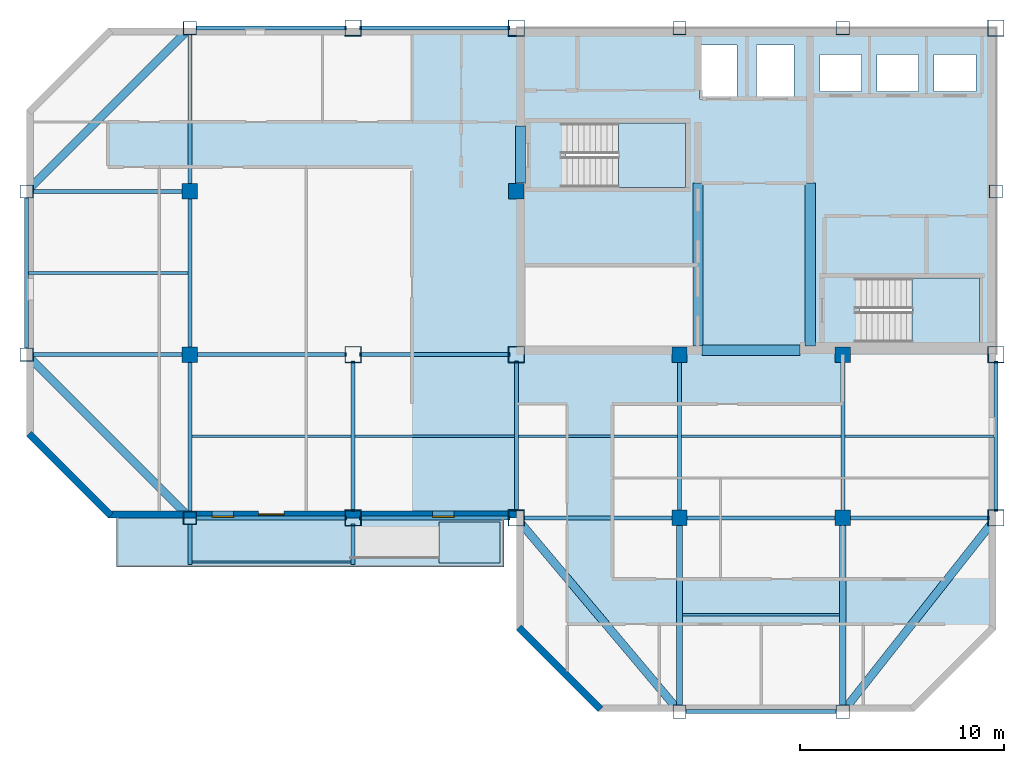
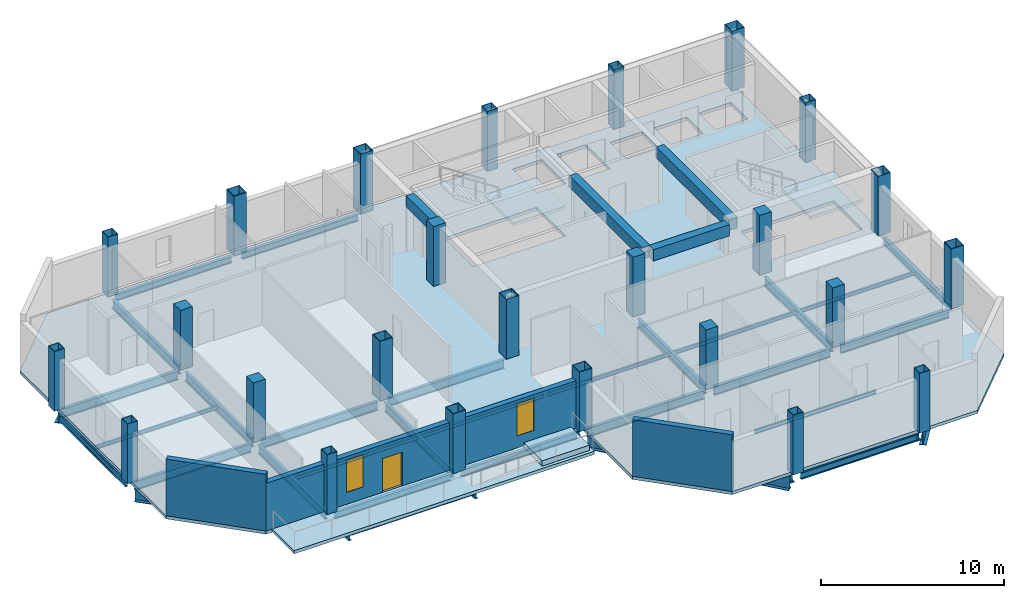
# One storey, part 1 of 7: 41 beams, 25 columns, 5 slabs, 3 walls, 2 windows, 1 door, 3 openings, 3 elements without a shape of their own.
"""IFC4 building model written with IfcOpenShell, lengths in metres."""

from ifc_helpers import new_model, si_unit, direction, frame, frame_2d, origin, origin_2d, place, context, subcontext, project, spatial, polyline, rectangle, hollow_rectangle, i_section, outline, extrude, material, layer, layer_set, material_profile, profile_set, type_object, element, fill, aggregate, save


model = new_model("IFC4")

# Units and contexts
model_context = context("Model", 3, precision=1e-05, world=origin(), true_north=direction((0.0, 1.0)))
body_context = subcontext(model_context, "Body", "Model", "MODEL_VIEW")
ifc_project = project(units=[si_unit("LENGTHUNIT", "METRE"), si_unit("AREAUNIT", "SQUARE_METRE"), si_unit("VOLUMEUNIT", "CUBIC_METRE"), si_unit("PLANEANGLEUNIT", "RADIAN"), si_unit("MASSUNIT", "GRAM", prefix="KILO")], contexts=[model_context])

# Site, building, storey
site_placement = place(None, origin())
site = spatial("IfcSite", under=ifc_project, at=site_placement, CompositionType="ELEMENT")
building_placement = place(site_placement, origin())
building = spatial("IfcBuilding", under=site, at=building_placement, Name="Qianrong Seaharbour Tower", CompositionType="ELEMENT")
storey_placement = place(building_placement, frame((0.0, 0.0, 359.199951171875)))
storey = spatial("IfcBuildingStorey", under=building, at=storey_placement, Name="L87", CompositionType="ELEMENT", Elevation=359.199951171875)

# Columns
ifc_material_1 = material(Name="Structural steel SN490B", Category="steel")
ifc_material_profile_1 = material_profile(ifc_material_1, hollow_rectangle(XDim=0.800048828125, YDim=0.800048828125, WallThickness=0.031982421875, at=origin_2d()), Name="BOX800x800x32")
ifc_profile_set_1 = profile_set([ifc_material_profile_1], Name="Structural steel SN490B")
column_type_1 = type_object("IfcColumnType", Name="COL-CFT-800", PredefinedType="COLUMN", material=ifc_profile_set_1)
for number, where, z_axis, x_axis, name in (
    (1, (32.5, 28.0, 0.0), (0.0, 0.0, 1.0), (1.0, 0.0, 0.0), "L87 Column MC-5 at G5/GE"),
    (2, (32.5, 36.0, 0.0), (0.0, 0.0, 1.0), (1.0, 0.0, 0.0), "L87 Column MC-5 at G5/GF"),
    (3, (32.5, 52.0, 0.0), (0.0, 0.0, 1.0), (1.0, 0.0, 0.0), "L87 Column MC-5 at G5/GH"),
    (4, (40.5, 28.0, 0.0), (0.0, 0.0, 1.0), (1.0, 0.0, 0.0), "L87 Column MC-5 at G6/GE"),
    (5, (40.5, 36.0, 0.0), (0.0, 0.0, 1.0), (1.0, 0.0, 0.0), "L87 Column MC-5 at G6/GF"),
    (6, (40.5, 52.0, 0.0), (0.0, 0.0, 1.0), (1.0, 0.0, 0.0), "L87 Column MC-5 at G6/GH"),
    (7, (64.0, 28.0, 0.0), (0.0, 0.0, 1.0), (1.0, 0.0, 0.0), "L87 Column MC-5 at G9/GE"),
    (8, (64.0, 36.0, 0.0), (0.0, 0.0, 1.0), (1.0, 0.0, 0.0), "L87 Column MC-5 at G9/GF"),
    (9, (64.0, 52.0, 0.0), (0.0, 0.0, 1.0), (1.0, 0.0, 0.0), "L87 Column MC-5 at G9/GH"),
):
    element("IfcColumn", number, at=place(storey_placement, frame(where, z_axis=z_axis, x_axis=x_axis)), inside=storey, type_object=column_type_1, Name=name, PredefinedType="COLUMN", context=body_context, shape_type="SweptSolid", body=[
        extrude(hollow_rectangle(XDim=0.800048828125, YDim=0.800048828125, WallThickness=0.031982421875, at=origin_2d()), origin(), (0.0, 0.0, 1.0), 4.0),
    ])
ifc_material_2 = material(Name="Concrete C50/60", Category="concrete")
ifc_material_profile_2 = material_profile(ifc_material_2, rectangle(XDim=0.75, YDim=0.75, at=origin_2d()), Name="RC750x750")
ifc_profile_set_2 = profile_set([ifc_material_profile_2], Name="Concrete C50/60")
column_type_2 = type_object("IfcColumnType", Name="COL-INT-RC750", PredefinedType="COLUMN", material=ifc_profile_set_2)
for number, where, z_axis, x_axis, name in (
    (10, (24.5, 36.0, 0.0), (0.0, 0.0, 1.0), (1.0, 0.0, 0.0), "L87 Column IC-4 at G4/GF"),
    (11, (24.5, 44.0, 0.0), (0.0, 0.0, 1.0), (1.0, 0.0, 0.0), "L87 Column IC-4 at G4/GG"),
    (12, (40.5, 44.0, 0.0), (0.0, 0.0, 1.0), (1.0, 0.0, 0.0), "L87 Column IC-4 at G6/GG"),
    (13, (48.5, 28.0, 0.0), (0.0, 0.0, 1.0), (1.0, 0.0, 0.0), "L87 Column IC-4 at G7/GE"),
    (14, (48.5, 36.0, 0.0), (0.0, 0.0, 1.0), (1.0, 0.0, 0.0), "L87 Column IC-4 at G7/GF"),
    (15, (56.5, 28.0, 0.0), (0.0, 0.0, 1.0), (1.0, 0.0, 0.0), "L87 Column IC-4 at G8/GE"),
    (16, (56.5, 36.0, 0.0), (0.0, 0.0, 1.0), (1.0, 0.0, 0.0), "L87 Column IC-4 at G8/GF"),
):
    element("IfcColumn", number, at=place(storey_placement, frame(where, z_axis=z_axis, x_axis=x_axis)), inside=storey, type_object=column_type_2, Name=name, PredefinedType="COLUMN", context=body_context, shape_type="SweptSolid", body=[
        extrude(rectangle(XDim=0.75, YDim=0.75, at=origin_2d()), origin(), (0.0, 0.0, 1.0), 4.0),
    ])
ifc_material_3 = material(Name="Structural steel SN400B", Category="steel")
ifc_material_profile_3 = material_profile(ifc_material_3, hollow_rectangle(XDim=0.64990234375, YDim=0.64990234375, WallThickness=0.028076171875, at=origin_2d()), Name="BOX650x650x28")
ifc_profile_set_3 = profile_set([ifc_material_profile_3], Name="Structural steel SN400B")
column_type_3 = type_object("IfcColumnType", Name="COL-PER-650", PredefinedType="COLUMN", material=ifc_profile_set_3)
for number, where, z_axis, x_axis, name in (
    (17, (16.5, 36.0, 0.0), (0.0, 0.0, 1.0), (1.0, 0.0, 0.0), "L87 Column PC-4 at G3/GF"),
    (18, (16.5, 44.0, 0.0), (0.0, 0.0, 1.0), (1.0, 0.0, 0.0), "L87 Column PC-4 at G3/GG"),
    (19, (24.5, 28.0, 0.0), (0.0, 0.0, 1.0), (1.0, 0.0, 0.0), "L87 Column PC-4 at G4/GE"),
    (20, (24.5, 52.0, 0.0), (0.0, 0.0, 1.0), (1.0, 0.0, 0.0), "L87 Column PC-4 at G4/GH"),
    (21, (48.5, 18.5, 0.0), (0.0, 0.0, 1.0), (1.0, 0.0, 0.0), "L87 Column PC-4 at G7/GD"),
    (22, (48.5, 52.0, 0.0), (0.0, 0.0, 1.0), (1.0, 0.0, 0.0), "L87 Column PC-4 at G7/GH"),
    (23, (56.5, 18.5, 0.0), (0.0, 0.0, 1.0), (1.0, 0.0, 0.0), "L87 Column PC-4 at G8/GD"),
    (24, (56.5, 52.0, 0.0), (0.0, 0.0, 1.0), (1.0, 0.0, 0.0), "L87 Column PC-4 at G8/GH"),
    (25, (64.0, 44.0, 0.0), (0.0, 0.0, 1.0), (1.0, 0.0, 0.0), "L87 Column PC-4 at G9/GG"),
):
    element("IfcColumn", number, at=place(storey_placement, frame(where, z_axis=z_axis, x_axis=x_axis)), inside=storey, type_object=column_type_3, Name=name, PredefinedType="COLUMN", context=body_context, shape_type="SweptSolid", body=[
        extrude(hollow_rectangle(XDim=0.64990234375, YDim=0.64990234375, WallThickness=0.028076171875, at=origin_2d()), origin(), (0.0, 0.0, 1.0), 4.0),
    ])

# Beams
ifc_material_profile_4 = material_profile(ifc_material_1, i_section(OverallWidth=0.199951171875, OverallDepth=0.60009765625, WebThickness=0.010986328125, FlangeThickness=0.01708984375, FilletRadius=0.02197265625, at=origin_2d()), Name="H600x200x11x17")
ifc_profile_set_4 = profile_set([ifc_material_profile_4], Name="Structural steel SN490B")
beam_type_1 = type_object("IfcBeamType", Name="BM-G-600", PredefinedType="BEAM", material=ifc_profile_set_4)
for number, where, z_axis, x_axis, name in (
    (26, (40.820068359375, 28.0, -0.514892578125), (1.0, 0.0, 0.0), (0.0, 1.0, 0.0), "L87 Primary Girder GE G6-G7"),
    (27, (48.820068359375, 28.0, -0.514892578125), (1.0, 0.0, 0.0), (0.0, 1.0, 0.0), "L87 Primary Girder GE G7-G8"),
):
    element("IfcBeam", number, at=place(storey_placement, frame(where, z_axis=z_axis, x_axis=x_axis)), inside=storey, type_object=beam_type_1, Name=name, PredefinedType="BEAM", context=body_context, shape_type="SweptSolid", body=[
        extrude(i_section(OverallWidth=0.199951171875, OverallDepth=0.60009765625, WebThickness=0.010986328125, FlangeThickness=0.01708984375, FilletRadius=0.02197265625, at=origin_2d()), origin(), (0.0, 0.0, 1.0), 7.35986328125),
    ])
beam_1_placement = place(storey_placement, frame((56.820068359375, 28.0, -0.514892578125), z_axis=(1.0, 0.0, 0.0), x_axis=(0.0, 1.0, 0.0)))
element("IfcBeam", 28, at=beam_1_placement, inside=storey, type_object=beam_type_1, Name="L87 Primary Girder GE G8-G9", PredefinedType="BEAM", context=body_context, shape_type="SweptSolid", body=[
    extrude(i_section(OverallWidth=0.199951171875, OverallDepth=0.60009765625, WebThickness=0.010986328125, FlangeThickness=0.01708984375, FilletRadius=0.02197265625, at=origin_2d()), origin(), (0.0, 0.0, 1.0), 6.85986328125),
])
for number, where, z_axis, x_axis, name in (
    (29, (16.820068359375, 36.0, -0.514892578125), (1.0, 0.0, 0.0), (0.0, 1.0, 0.0), "L87 Primary Girder GF G3-G4"),
    (30, (24.820068359375, 36.0, -0.514892578125), (1.0, 0.0, 0.0), (0.0, 1.0, 0.0), "L87 Primary Girder GF G4-G5"),
    (31, (32.820068359375, 36.0, -0.514892578125), (1.0, 0.0, 0.0), (0.0, 1.0, 0.0), "L87 Primary Girder GF G5-G6"),
    (32, (16.820068359375, 44.0, -0.514892578125), (1.0, 0.0, 0.0), (0.0, 1.0, 0.0), "L87 Primary Girder GG G3-G4"),
    (33, (24.5, 28.320068359375, -0.514892578125), (0.0, 1.0, 0.0), (-1.0, 0.0, 0.0), "L87 Primary Girder G4 GE-GF"),
    (34, (24.5, 36.320068359375, -0.514892578125), (0.0, 1.0, 0.0), (-1.0, 0.0, 0.0), "L87 Primary Girder G4 GF-GG"),
    (35, (24.5, 44.320068359375, -0.514892578125), (0.0, 1.0, 0.0), (-1.0, 0.0, 0.0), "L87 Primary Girder G4 GG-GH"),
    (36, (32.5, 28.320068359375, -0.514892578125), (0.0, 1.0, 0.0), (-1.0, 0.0, 0.0), "L87 Primary Girder G5 GE-GF"),
    (37, (40.5, 28.320068359375, -0.514892578125), (0.0, 1.0, 0.0), (-1.0, 0.0, 0.0), "L87 Primary Girder G6 GE-GF"),
    (38, (48.5, 28.320068359375, -0.514892578125), (0.0, 1.0, 0.0), (-1.0, 0.0, 0.0), "L87 Primary Girder G7 GE-GF"),
    (39, (56.5, 28.320068359375, -0.514892578125), (0.0, 1.0, 0.0), (-1.0, 0.0, 0.0), "L87 Primary Girder G8 GE-GF"),
):
    element("IfcBeam", number, at=place(storey_placement, frame(where, z_axis=z_axis, x_axis=x_axis)), inside=storey, type_object=beam_type_1, Name=name, PredefinedType="BEAM", context=body_context, shape_type="SweptSolid", body=[
        extrude(i_section(OverallWidth=0.199951171875, OverallDepth=0.60009765625, WebThickness=0.010986328125, FlangeThickness=0.01708984375, FilletRadius=0.02197265625, at=origin_2d()), origin(), (0.0, 0.0, 1.0), 7.35986328125),
    ])
ifc_material_profile_5 = material_profile(ifc_material_1, i_section(OverallWidth=0.300048828125, OverallDepth=0.800048828125, WebThickness=0.013916015625, FlangeThickness=0.02587890625, FilletRadius=0.028076171875, at=origin_2d()), Name="H800x300x14x26")
ifc_profile_set_5 = profile_set([ifc_material_profile_5], Name="Structural steel SN490B")
beam_type_2 = type_object("IfcBeamType", Name="BM-G-800", PredefinedType="BEAM", material=ifc_profile_set_5)
for number, where, z_axis, x_axis, name in (
    (40, (48.5, 18.820068359375, -0.614990234375), (0.0, 1.0, 0.0), (-1.0, 0.0, 0.0), "L87 Primary Girder G7 GD-GE"),
    (41, (56.5, 18.820068359375, -0.614990234375), (0.0, 1.0, 0.0), (-1.0, 0.0, 0.0), "L87 Primary Girder G8 GD-GE"),
):
    element("IfcBeam", number, at=place(storey_placement, frame(where, z_axis=z_axis, x_axis=x_axis)), inside=storey, type_object=beam_type_2, Name=name, PredefinedType="BEAM", context=body_context, shape_type="SweptSolid", body=[
        extrude(i_section(OverallWidth=0.300048828125, OverallDepth=0.800048828125, WebThickness=0.013916015625, FlangeThickness=0.02587890625, FilletRadius=0.028076171875, at=origin_2d()), origin(), (0.0, 0.0, 1.0), 8.85986328125),
    ])
ifc_material_profile_6 = material_profile(ifc_material_3, i_section(OverallWidth=0.125, OverallDepth=0.25, WebThickness=0.006103515625, FlangeThickness=0.009033203125, FilletRadius=0.011962890625, at=origin_2d()), Name="H250x125x6x9")
ifc_profile_set_6 = profile_set([ifc_material_profile_6], Name="Structural steel SN400B")
beam_type_3 = type_object("IfcBeamType", Name="BM-J-250", PredefinedType="JOIST", material=ifc_profile_set_6)
for number, where, z_axis, x_axis, name in (
    (42, (16.60009765625, 40.0, -0.33984375), (1.0, 0.0, 0.0), (0.0, 1.0, 0.0), "L87 Composite Floor Joist G3-G4/GF-GG"),
    (43, (24.60009765625, 32.0, -0.33984375), (1.0, 0.0, 0.0), (0.0, 1.0, 0.0), "L87 Composite Floor Joist G4-G5/GE-GF"),
    (44, (32.60009765625, 32.0, -0.33984375), (1.0, 0.0, 0.0), (0.0, 1.0, 0.0), "L87 Composite Floor Joist G5-G6/GE-GF"),
    (45, (40.60009765625, 32.0, -0.33984375), (1.0, 0.0, 0.0), (0.0, 1.0, 0.0), "L87 Composite Floor Joist G6-G7/GE-GF"),
):
    element("IfcBeam", number, at=place(storey_placement, frame(where, z_axis=z_axis, x_axis=x_axis)), inside=storey, type_object=beam_type_3, Name=name, PredefinedType="JOIST", context=body_context, shape_type="SweptSolid", body=[
        extrude(i_section(OverallWidth=0.125, OverallDepth=0.25, WebThickness=0.006103515625, FlangeThickness=0.009033203125, FilletRadius=0.011962890625, at=origin_2d()), origin(), (0.0, 0.0, 1.0), 7.7998046875),
    ])
beam_2_placement = place(storey_placement, frame((48.64990234375, 23.25, -0.33984375), z_axis=(1.0, 0.0, 0.0), x_axis=(0.0, 1.0, 0.0)))
element("IfcBeam", 46, at=beam_2_placement, inside=storey, type_object=beam_type_3, Name="L87 Composite Floor Joist G7-G8/GD-GE", PredefinedType="JOIST", context=body_context, shape_type="SweptSolid", body=[
    extrude(i_section(OverallWidth=0.125, OverallDepth=0.25, WebThickness=0.006103515625, FlangeThickness=0.009033203125, FilletRadius=0.011962890625, at=origin_2d()), origin(), (0.0, 0.0, 1.0), 7.7001953125),
])
beam_3_placement = place(storey_placement, frame((48.60009765625, 32.0, -0.33984375), z_axis=(1.0, 0.0, 0.0), x_axis=(0.0, 1.0, 0.0)))
element("IfcBeam", 47, at=beam_3_placement, inside=storey, type_object=beam_type_3, Name="L87 Composite Floor Joist G7-G8/GE-GF", PredefinedType="JOIST", context=body_context, shape_type="SweptSolid", body=[
    extrude(i_section(OverallWidth=0.125, OverallDepth=0.25, WebThickness=0.006103515625, FlangeThickness=0.009033203125, FilletRadius=0.011962890625, at=origin_2d()), origin(), (0.0, 0.0, 1.0), 7.7998046875),
])
beam_4_placement = place(storey_placement, frame((56.60009765625, 32.0, -0.33984375), z_axis=(1.0, 0.0, 0.0), x_axis=(0.0, 1.0, 0.0)))
element("IfcBeam", 48, at=beam_4_placement, inside=storey, type_object=beam_type_3, Name="L87 Composite Floor Joist G8-G9/GE-GF", PredefinedType="JOIST", context=body_context, shape_type="SweptSolid", body=[
    extrude(i_section(OverallWidth=0.125, OverallDepth=0.25, WebThickness=0.006103515625, FlangeThickness=0.009033203125, FilletRadius=0.011962890625, at=origin_2d()), origin(), (0.0, 0.0, 1.0), 7.2998046875),
])
ifc_material_4 = material(Name="Concrete C60/75", Category="concrete")
ifc_material_profile_7 = material_profile(ifc_material_4, rectangle(XDim=0.5, YDim=0.75, at=origin_2d()), Name="RC500x750")
ifc_profile_set_7 = profile_set([ifc_material_profile_7], Name="Concrete C60/75")
beam_type_4 = type_object("IfcBeamType", Name="BM-LINTEL-750", PredefinedType="LINTEL", material=ifc_profile_set_7)
beam_5_placement = place(storey_placement, frame((40.7099609375, 44.39990234375, 3.41015625), z_axis=(0.0, 1.0, 0.0), x_axis=(-1.0, 0.0, 0.0)))
element("IfcBeam", 49, at=beam_5_placement, inside=storey, type_object=beam_type_4, Name="L87 Core Coupling Lintel Beam West", PredefinedType="LINTEL", context=body_context, shape_type="SweptSolid", body=[
    extrude(rectangle(XDim=0.5, YDim=0.75, at=origin_2d()), origin(), (0.0, 0.0, 1.0), 2.800048828125),
])
beam_6_placement = place(storey_placement, frame((49.60009765625, 36.2099609375, 3.41015625), z_axis=(1.0, 0.0, 0.0), x_axis=(0.0, 1.0, 0.0)))
element("IfcBeam", 50, at=beam_6_placement, inside=storey, type_object=beam_type_4, Name="L87 Core Coupling Lintel Beam CBC", PredefinedType="LINTEL", context=body_context, shape_type="SweptSolid", body=[
    extrude(rectangle(XDim=0.5, YDim=0.75, at=origin_2d()), origin(), (0.0, 0.0, 1.0), 4.7998046875),
])
for number, where, z_axis, x_axis, name in (
    (51, (49.39990234375, 36.419921875, 3.41015625), (0.0, 1.0, 0.0), (-1.0, 0.0, 0.0), "L87 Internal Core Coupling Beam IW1"),
    (52, (54.89990234375, 36.419921875, 3.41015625), (0.0, 1.0, 0.0), (-1.0, 0.0, 0.0), "L87 Internal Core Coupling Beam IW2"),
):
    element("IfcBeam", number, at=place(storey_placement, frame(where, z_axis=z_axis, x_axis=x_axis)), inside=storey, type_object=beam_type_4, Name=name, PredefinedType="LINTEL", context=body_context, shape_type="SweptSolid", body=[
        extrude(rectangle(XDim=0.5, YDim=0.75, at=origin_2d()), origin(), (0.0, 0.0, 1.0), 7.97998046875),
    ])
ifc_material_profile_8 = material_profile(ifc_material_3, i_section(OverallWidth=0.10009765625, OverallDepth=0.199951171875, WebThickness=0.005615234375, FlangeThickness=0.008056640625, FilletRadius=0.010986328125, at=origin_2d()), Name="H200x100x5.5x8")
ifc_profile_set_8 = profile_set([ifc_material_profile_8], Name="Structural steel SN400B")
beam_type_5 = type_object("IfcBeamType", Name="BM-PURLIN-200", PredefinedType="JOIST", material=ifc_profile_set_8)
beam_7_placement = place(storey_placement, frame((24.60009765625, 25.840087890625, -0.31494140625), z_axis=(1.0, 0.0, 0.0), x_axis=(0.0, 1.0, 0.0)))
element("IfcBeam", 53, at=beam_7_placement, inside=storey, type_object=beam_type_5, Name="L87 Harbourfront Ribbon Edge Beam G5", PredefinedType="JOIST", context=body_context, shape_type="SweptSolid", body=[
    extrude(i_section(OverallWidth=0.10009765625, OverallDepth=0.199951171875, WebThickness=0.005615234375, FlangeThickness=0.008056640625, FilletRadius=0.010986328125, at=origin_2d()), origin(), (0.0, 0.0, 1.0), 7.7998046875),
])
ifc_material_profile_9 = material_profile(ifc_material_1, i_section(OverallWidth=0.199951171875, OverallDepth=0.449951171875, WebThickness=0.009033203125, FlangeThickness=0.013916015625, FilletRadius=0.01806640625, at=origin_2d()), Name="H450x200x9x14")
ifc_profile_set_9 = profile_set([ifc_material_profile_9], Name="Structural steel SN490B")
beam_type_6 = type_object("IfcBeamType", Name="BM-RIB-450", PredefinedType="BEAM", material=ifc_profile_set_9)
for number, where, z_axis, x_axis, name in (
    (54, (24.5, 27.699951171875, -0.43994140625), (0.0, -1.0, 0.0), (1.0, 0.0, 0.0), "L87 Harbourfront Ribbon Cantilever Bracket G4"),
    (55, (32.5, 27.699951171875, -0.43994140625), (0.0, -1.0, 0.0), (1.0, 0.0, 0.0), "L87 Harbourfront Ribbon Cantilever Bracket G5"),
):
    element("IfcBeam", number, at=place(storey_placement, frame(where, z_axis=z_axis, x_axis=x_axis)), inside=storey, type_object=beam_type_6, Name=name, PredefinedType="BEAM", context=body_context, shape_type="SweptSolid", body=[
        extrude(i_section(OverallWidth=0.199951171875, OverallDepth=0.449951171875, WebThickness=0.009033203125, FlangeThickness=0.013916015625, FilletRadius=0.01806640625, at=origin_2d()), origin(), (0.0, 0.0, 1.0), 1.97998046875),
    ])
ifc_material_profile_10 = material_profile(ifc_material_3, i_section(OverallWidth=0.199951171875, OverallDepth=0.449951171875, WebThickness=0.009033203125, FlangeThickness=0.013916015625, FilletRadius=0.01806640625, at=origin_2d()), Name="H450x200x9x14")
ifc_profile_set_10 = profile_set([ifc_material_profile_10], Name="Structural steel SN400B")
beam_type_7 = type_object("IfcBeamType", Name="BM-SP-450", PredefinedType="SPANDREL", material=ifc_profile_set_10)
for number, where, z_axis, x_axis, name in (
    (56, (48.820068359375, 18.5, -0.43994140625), (1.0, 0.0, 0.0), (0.0, 1.0, 0.0), "L87 Spandrel Girder GD G7-G8"),
    (57, (24.820068359375, 28.0, -0.43994140625), (1.0, 0.0, 0.0), (0.0, 1.0, 0.0), "L87 Spandrel Girder GE G4-G5"),
    (58, (32.820068359375, 28.0, -0.43994140625), (1.0, 0.0, 0.0), (0.0, 1.0, 0.0), "L87 Spandrel Girder GE G5-G6"),
    (59, (24.820068359375, 52.0, -0.43994140625), (1.0, 0.0, 0.0), (0.0, 1.0, 0.0), "L87 Spandrel Girder GH G4-G5"),
    (60, (32.820068359375, 52.0, -0.43994140625), (1.0, 0.0, 0.0), (0.0, 1.0, 0.0), "L87 Spandrel Girder GH G5-G6"),
    (61, (16.5, 36.320068359375, -0.43994140625), (0.0, 1.0, 0.0), (-1.0, 0.0, 0.0), "L87 Spandrel Girder G3 GF-GG"),
    (62, (64.0, 28.320068359375, -0.43994140625), (0.0, 1.0, 0.0), (-1.0, 0.0, 0.0), "L87 Spandrel Girder G9 GE-GF"),
):
    element("IfcBeam", number, at=place(storey_placement, frame(where, z_axis=z_axis, x_axis=x_axis)), inside=storey, type_object=beam_type_7, Name=name, PredefinedType="SPANDREL", context=body_context, shape_type="SweptSolid", body=[
        extrude(i_section(OverallWidth=0.199951171875, OverallDepth=0.449951171875, WebThickness=0.009033203125, FlangeThickness=0.013916015625, FilletRadius=0.01806640625, at=origin_2d()), origin(), (0.0, 0.0, 1.0), 7.35986328125),
    ])
ifc_material_profile_11 = material_profile(ifc_material_1, i_section(OverallWidth=0.39990234375, OverallDepth=1.10009765625, WebThickness=0.02001953125, FlangeThickness=0.035888671875, at=origin_2d()), Name="BH1100x400x20x36")
ifc_profile_set_11 = profile_set([ifc_material_profile_11], Name="Structural steel SN490B")
beam_type_8 = type_object("IfcBeamType", Name="BM-TG-1100", PredefinedType="BEAM", material=ifc_profile_set_11)
for number, where, z_axis, x_axis, name in (
    (63, (24.273681640625, 28.226318359375, -0.764892578125), (-0.707106781187, 0.707106781187, 0.0), (-0.707106781187, -0.707106781187, 0.0), "L87 Chamfer Corner Spandrel Girder G3/GE"),
    (64, (24.273681640625, 51.773681640625, -0.764892578125), (-0.707106781187, -0.707106781187, 0.0), (0.707106781187, -0.707106781187, 0.0), "L87 Chamfer Corner Spandrel Girder G3/GH"),
):
    element("IfcBeam", number, at=place(storey_placement, frame(where, z_axis=z_axis, x_axis=x_axis)), inside=storey, type_object=beam_type_8, Name=name, PredefinedType="BEAM", context=body_context, shape_type="SweptSolid", body=[
        extrude(i_section(OverallWidth=0.39990234375, OverallDepth=1.10009765625, WebThickness=0.02001953125, FlangeThickness=0.035888671875, at=origin_2d()), origin(), (0.0, 0.0, 1.0), 10.673583984375),
    ])
beam_8_placement = place(storey_placement, frame((48.2939453125, 18.744873046875, -0.764892578125), z_axis=(-0.644151063101, 0.764898299061, 0.0), x_axis=(-0.764898299061, -0.644151063101, 0.0)))
element("IfcBeam", 65, at=beam_8_placement, inside=storey, type_object=beam_type_8, Name="L87 Chamfer Corner Spandrel Girder G6/GD", PredefinedType="BEAM", context=body_context, shape_type="SweptSolid", body=[
    extrude(i_section(OverallWidth=0.39990234375, OverallDepth=1.10009765625, WebThickness=0.02001953125, FlangeThickness=0.035888671875, at=origin_2d()), origin(), (0.0, 0.0, 1.0), 11.77978515625),
])
beam_9_placement = place(storey_placement, frame((56.6982421875, 18.751220703125, -0.764892578125), z_axis=(0.619653955715, 0.784875133487, 0.0), x_axis=(-0.784875133487, 0.619653955715, 0.0)))
element("IfcBeam", 66, at=beam_9_placement, inside=storey, type_object=beam_type_8, Name="L87 Chamfer Corner Spandrel Girder G9/GD", PredefinedType="BEAM", context=body_context, shape_type="SweptSolid", body=[
    extrude(i_section(OverallWidth=0.39990234375, OverallDepth=1.10009765625, WebThickness=0.02001953125, FlangeThickness=0.035888671875, at=origin_2d()), origin(), (0.0, 0.0, 1.0), 11.463623046875),
])

# Ramp, slab
ifc_material_5 = material(Name="White architectural precast concrete C45/55", Category="concrete")
ramp_type = type_object("IfcRampType", Name="RAMP-RIBBON-GARDEN", PredefinedType="STRAIGHT_RUN_RAMP", material=ifc_material_5)
ramp_placement = place(storey_placement, origin())
ramp = element("IfcRamp", 67, at=ramp_placement, inside=storey, type_object=ramp_type, Name="L87 Harbourfront Garden Ribbon Ramp", PredefinedType="STRAIGHT_RUN_RAMP")
ifc_layer_1 = layer(ifc_material_5, 0.360107421875)
ifc_layer_set_1 = layer_set([ifc_layer_1], Name="White architectural precast concrete C45/55")
slab_type_1 = type_object("IfcSlabType", Name="SLAB-RAMP-LANDING-220", PredefinedType="LANDING", material=ifc_layer_set_1)
slab_1_placement = place(storey_placement, origin())
slab_1 = element("IfcSlab", 68, at=slab_1_placement, type_object=slab_type_1, Name="L87 Harbourfront Ribbon Raised Garden Landing", PredefinedType="LANDING", context=body_context, shape_type="SweptSolid", body=[
    extrude(outline(polyline([(36.699951171875, 25.800048828125), (39.699951171875, 25.800048828125), (39.699951171875, 27.800048828125), (36.699951171875, 27.800048828125), (36.699951171875, 25.800048828125)])), origin(), (0.0, 0.0, 1.0), 0.360107421875),
])
aggregate(ramp, [slab_1])

# Slab
ifc_layer_2 = layer(ifc_material_5, 0.215087890625)
ifc_layer_set_2 = layer_set([ifc_layer_2], Name="White architectural precast concrete C45/55")
slab_type_2 = type_object("IfcSlabType", Name="SLAB-RIBBON-215", PredefinedType="FLOOR", material=ifc_layer_set_2)
slab_2_placement = place(storey_placement, frame((0.0, 0.0, -0.21484375)))
element("IfcSlab", 69, at=slab_2_placement, inside=storey, type_object=slab_type_2, Name="L87 Harbourfront White Precast Ribbon Gallery Slab", PredefinedType="FLOOR", context=body_context, shape_type="SweptSolid", body=[
    extrude(outline(polyline([(20.89990234375, 25.60009765625), (39.89990234375, 25.60009765625), (39.89990234375, 28.0), (20.89990234375, 28.0), (20.89990234375, 25.60009765625)])), origin(), (0.0, 0.0, 1.0), 0.21484375),
])

# Stair, slab
stair_type = type_object("IfcStairType", Name="STAIR-DOGLEG-1500-R22", PredefinedType="HALF_TURN_STAIR", material=ifc_material_2)
stair_1_placement = place(storey_placement, origin())
stair_1 = element("IfcStair", 70, at=stair_1_placement, inside=storey, type_object=stair_type, Name="L87 Protected Escape Stair ST-1", PredefinedType="HALF_TURN_STAIR")
ifc_layer_3 = layer(ifc_material_2, 0.199951171875)
ifc_layer_set_3 = layer_set([ifc_layer_3], Name="Concrete C50/60")
slab_type_3 = type_object("IfcSlabType", Name="SLAB-STAIR-LANDING-200", PredefinedType="LANDING", material=ifc_layer_set_3)
slab_3_placement = place(storey_placement, frame((0.0, 0.0, 1.800048828125)))
slab_3 = element("IfcSlab", 71, at=slab_3_placement, type_object=slab_type_3, Name="ST-1 landing 1", PredefinedType="LANDING", context=body_context, shape_type="SweptSolid", body=[
    extrude(outline(polyline([(45.5, 44.199951171875), (48.800048828125, 44.199951171875), (48.800048828125, 47.35009765625), (45.5, 47.35009765625), (45.5, 44.199951171875)])), origin(), (0.0, 0.0, 1.0), 0.199951171875),
])
aggregate(stair_1, [slab_3])

stair_2_placement = place(storey_placement, origin())
stair_2 = element("IfcStair", 72, at=stair_2_placement, inside=storey, type_object=stair_type, Name="L87 Protected Escape Stair ST-2", PredefinedType="HALF_TURN_STAIR")
slab_4_placement = place(storey_placement, frame((0.0, 0.0, 1.800048828125)))
slab_4 = element("IfcSlab", 73, at=slab_4_placement, type_object=slab_type_3, Name="ST-2 landing 1", PredefinedType="LANDING", context=body_context, shape_type="SweptSolid", body=[
    extrude(outline(polyline([(59.89990234375, 36.60009765625), (63.199951171875, 36.60009765625), (63.199951171875, 39.75), (59.89990234375, 39.75), (59.89990234375, 36.60009765625)])), origin(), (0.0, 0.0, 1.0), 0.199951171875),
])
aggregate(stair_2, [slab_4])

# Slab
ifc_layer_4 = layer(ifc_material_2, 0.215087890625)
ifc_layer_set_4 = layer_set([ifc_layer_4], Name="Concrete C50/60")
slab_type_4 = type_object("IfcSlabType", Name="SLAB-Z4-215", PredefinedType="FLOOR", material=ifc_layer_set_4)
slab_5_placement = place(storey_placement, frame((0.0, 0.0, -0.21484375)))
element("IfcSlab", 74, at=slab_5_placement, inside=storey, type_object=slab_type_4, Name="L87 Structural Floor Slab", PredefinedType="FLOOR", context=body_context, shape_type="SweptSolid", body=[
    extrude(outline(polyline([(44.5, 18.5), (60.0, 18.5), (64.0, 22.5), (64.0, 52.0), (20.5, 52.0), (16.5, 48.0), (16.5, 32.0), (20.5, 28.0), (40.5, 28.0), (40.5, 22.5), (44.5, 18.5)]), holes=[polyline([(42.93994140625, 44.199951171875), (42.93994140625, 47.35009765625), (48.800048828125, 47.35009765625), (48.800048828125, 44.199951171875), (42.93994140625, 44.199951171875)]), polyline([(57.340087890625, 36.60009765625), (57.340087890625, 39.75), (63.199951171875, 39.75), (63.199951171875, 36.60009765625), (57.340087890625, 36.60009765625)]), polyline([(49.47998046875, 48.530029296875), (49.47998046875, 51.169921875), (51.320068359375, 51.169921875), (51.320068359375, 48.530029296875), (49.47998046875, 48.530029296875)]), polyline([(52.280029296875, 48.530029296875), (52.280029296875, 51.169921875), (54.1201171875, 51.169921875), (54.1201171875, 48.530029296875), (52.280029296875, 48.530029296875)]), polyline([(55.3798828125, 48.89990234375), (55.3798828125, 50.699951171875), (57.419921875, 50.699951171875), (57.419921875, 48.89990234375), (55.3798828125, 48.89990234375)]), polyline([(58.179931640625, 48.89990234375), (58.179931640625, 50.699951171875), (60.219970703125, 50.699951171875), (60.219970703125, 48.89990234375), (58.179931640625, 48.89990234375)]), polyline([(60.97998046875, 48.89990234375), (60.97998046875, 50.699951171875), (63.02001953125, 50.699951171875), (63.02001953125, 48.89990234375), (60.97998046875, 48.89990234375)])]), origin(), (0.0, 0.0, 1.0), 0.21484375),
])

# Wall, openings, door, windows
ifc_material_6 = material(Name="Unitised buff brick on Precast concrete C45/55", Category="masonry")
ifc_layer_5 = layer(ifc_material_6, 0.340087890625)
ifc_layer_set_5 = layer_set([ifc_layer_5], Name="Unitised buff brick on Precast concrete C45/55")
wall_type = type_object("IfcWallType", Name="WALL-EXT-BRICK-BUFF-340", PredefinedType="SOLIDWALL", material=ifc_layer_set_5)
wall_placement = place(storey_placement, frame((40.52001953125, 28.169921875, 0.0), z_axis=(0.0, 0.0, 1.0), x_axis=(-1.0, 0.0, 0.0)))
wall = element("IfcWall", 75, at=wall_placement, inside=storey, type_object=wall_type, Name="L87 Exterior Masonry Facade Wall HARBOUR_RIBBON", PredefinedType="SOLIDWALL", context=body_context, shape_type="SweptSolid", body=[
    extrude(rectangle(XDim=20.02001953125, YDim=0.340087890625, at=frame_2d((10.010009765625, 0.0))), origin(), (0.0, 0.0, 1.0), 3.18505859375),
])
opening_1_placement = place(wall_placement, frame((3.074951171875, 0.0, 0.800048828125)))
opening_1 = element("IfcOpeningElement", 76, at=opening_1_placement, cuts=wall, Name="Opening WN-14", PredefinedType="OPENING", context=body_context, shape_type="SweptSolid", body=[
    extrude(rectangle(XDim=1.050048828125, YDim=2.14990234375, at=frame_2d((0.52490234375, 1.074951171875))), frame((0.0, 0.18017578125, 0.0), z_axis=(0.0, -1.0, 0.0), x_axis=(1.0, 0.0, 0.0)), (0.0, 0.0, 1.0), 0.360107421875),
])
opening_2_placement = place(wall_placement, frame((13.875, 0.0, 0.800048828125)))
opening_2 = element("IfcOpeningElement", 77, at=opening_2_placement, cuts=wall, Name="Opening WN-14", PredefinedType="OPENING", context=body_context, shape_type="SweptSolid", body=[
    extrude(rectangle(XDim=1.050048828125, YDim=2.14990234375, at=frame_2d((0.52490234375, 1.074951171875))), frame((0.0, 0.18017578125, 0.0), z_axis=(0.0, -1.0, 0.0), x_axis=(1.0, 0.0, 0.0)), (0.0, 0.0, 1.0), 0.360107421875),
])
opening_3_placement = place(wall_placement, frame((11.39501953125, 0.0, 0.0)))
opening_3 = element("IfcOpeningElement", 78, at=opening_3_placement, cuts=wall, Name="Opening D-TER1", PredefinedType="OPENING", context=body_context, shape_type="SweptSolid", body=[
    extrude(rectangle(XDim=1.25, YDim=2.25, at=frame_2d((0.625, 1.125))), frame((0.0, 0.18017578125, 0.0), z_axis=(0.0, -1.0, 0.0), x_axis=(1.0, 0.0, 0.0)), (0.0, 0.0, 1.0), 0.360107421875),
])
ifc_material_7 = material(Name="Insulated galvanized steel and laminated glass door assembly", Category="steel")
door_type = type_object("IfcDoorType", Name="DOOR-EXT-TERRACE-1250x2250", OperationType="NOTDEFINED", PredefinedType="DOOR", material=ifc_material_7)
door_placement = place(opening_3_placement, origin())
door = element("IfcDoor", 79, at=door_placement, inside=storey, type_object=door_type, Name="L87 Harbourfront Ribbon Gallery Access Door", OperationType="SINGLE_SWING_RIGHT", OverallHeight=2.25, OverallWidth=1.25, PredefinedType="DOOR", context=body_context, shape_type="SweptSolid", body=[
    extrude(rectangle(XDim=1.25, YDim=2.25, at=frame_2d((0.625, 1.125))), frame((0.0, 0.02490234375, 0.0), z_axis=(0.0, -1.0, 0.0), x_axis=(1.0, 0.0, 0.0)), (0.0, 0.0, 1.0), 0.050048828125),
])
fill(opening_3, door)
ifc_material_8 = material(Name="Insulated low-e double glazing in thermally broken aluminium 6063-T6 frame", Category="aluminium")
window_type = type_object("IfcWindowType", Name="WIN-NARROW-1050x2150", PartitioningType="SINGLE_PANEL", PredefinedType="WINDOW", material=ifc_material_8)
window_1_placement = place(opening_1_placement, origin())
window_1 = element("IfcWindow", 80, at=window_1_placement, inside=storey, type_object=window_type, Name="L87 Deep-Set Punched Window 01.01", OverallHeight=2.14990234375, OverallWidth=1.050048828125, PartitioningType="SINGLE_PANEL", PredefinedType="WINDOW", context=body_context, shape_type="SweptSolid", body=[
    extrude(rectangle(XDim=1.050048828125, YDim=2.14990234375, at=frame_2d((0.52490234375, 1.074951171875))), frame((0.0, 0.150146484375, 0.0), z_axis=(0.0, -1.0, 0.0), x_axis=(1.0, 0.0, 0.0)), (0.0, 0.0, 1.0), 0.06005859375),
])
fill(opening_1, window_1)
window_2_placement = place(opening_2_placement, origin())
window_2 = element("IfcWindow", 81, at=window_2_placement, inside=storey, type_object=window_type, Name="L87 Deep-Set Punched Window 01.04", OverallHeight=2.14990234375, OverallWidth=1.050048828125, PartitioningType="SINGLE_PANEL", PredefinedType="WINDOW", context=body_context, shape_type="SweptSolid", body=[
    extrude(rectangle(XDim=1.050048828125, YDim=2.14990234375, at=frame_2d((0.52490234375, 1.074951171875))), frame((0.0, 0.150146484375, 0.0), z_axis=(0.0, -1.0, 0.0), x_axis=(1.0, 0.0, 0.0)), (0.0, 0.0, 1.0), 0.06005859375),
])
fill(opening_2, window_2)

# Walls
for number, where, z_axis, x_axis, name in (
    (82, (20.6201171875, 28.1201171875, 0.0), (0.0, 0.0, 1.0), (-0.707106781187, 0.707106781187, 0.0), "L87 Exterior Masonry Facade Wall E02"),
    (83, (44.6201171875, 18.6201171875, 0.0), (0.0, 0.0, 1.0), (-0.707106781187, 0.707106781187, 0.0), "L87 Exterior Masonry Facade Wall E09"),
):
    element("IfcWall", number, at=place(storey_placement, frame(where, z_axis=z_axis, x_axis=x_axis)), inside=storey, type_object=wall_type, Name=name, PredefinedType="SOLIDWALL", context=body_context, shape_type="SweptSolid", body=[
        extrude(rectangle(XDim=5.65673828125, YDim=0.340087890625, at=frame_2d((2.828369140625, 0.0))), origin(), (0.0, 0.0, 1.0), 3.78515625),
    ])

save(model, "model.ifc")
